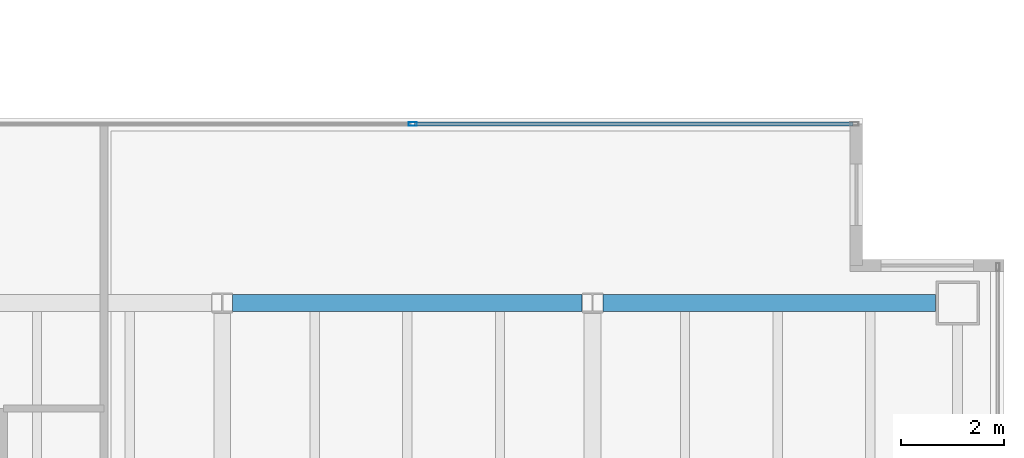
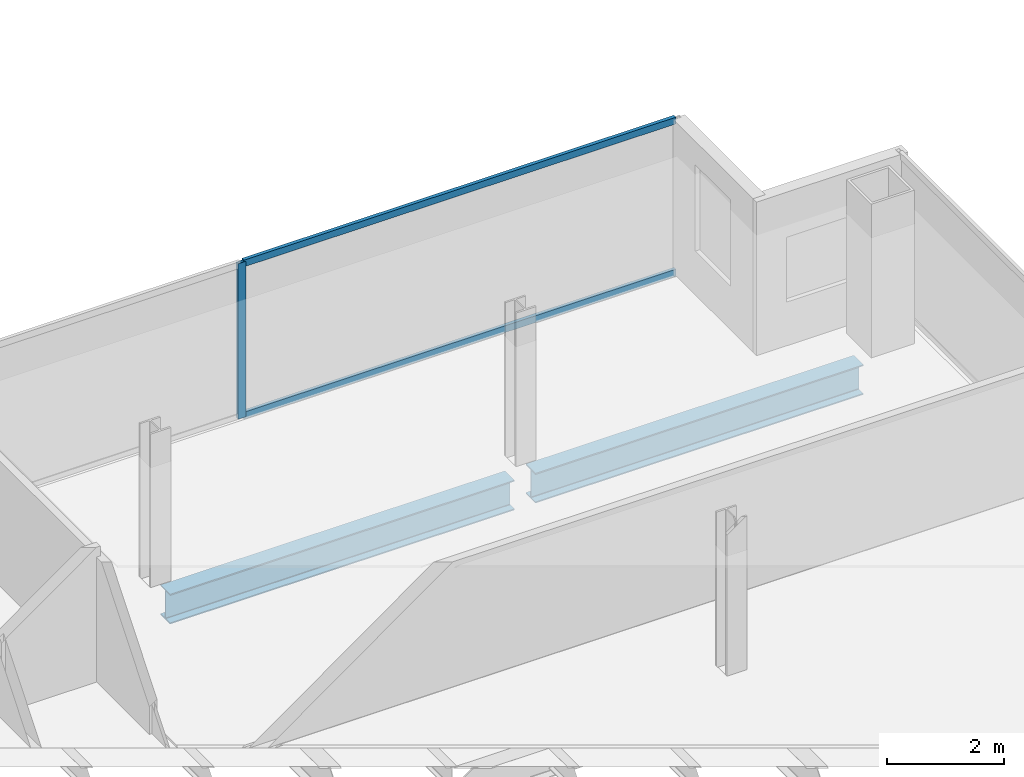
# One storey, part 15 of 23: 3 members, 2 beams, 1 element without a shape of its own.
"""IFC4 building model written with IfcOpenShell, lengths in metres."""

from ifc_helpers import new_model, si_unit, direction, frame, origin, origin_2d, place, context, subcontext, project, spatial, hollow_rectangle, i_section, extrude, material, material_profile, profile_set, type_object, element, aggregate, save


model = new_model("IFC4")

# Units and contexts
model_context = context("Model", 3, precision=1e-05, world=origin(), true_north=direction((0.0, 1.0)))
body_context = subcontext(model_context, "Body", "Model", "MODEL_VIEW")
ifc_project = project(units=[si_unit("LENGTHUNIT", "METRE"), si_unit("AREAUNIT", "SQUARE_METRE"), si_unit("VOLUMEUNIT", "CUBIC_METRE"), si_unit("PLANEANGLEUNIT", "RADIAN"), si_unit("MASSUNIT", "GRAM", prefix="KILO")], contexts=[model_context])

# Site, building, storey
site_placement = place(None, origin())
site = spatial("IfcSite", under=ifc_project, at=site_placement, CompositionType="ELEMENT")
building_placement = place(site_placement, origin())
building = spatial("IfcBuilding", under=site, at=building_placement, Name="Cobrela Telecom Tower", CompositionType="ELEMENT")
storey_placement = place(building_placement, frame((0.0, 0.0, 176.75)))
storey = spatial("IfcBuildingStorey", under=building, at=storey_placement, Name="L44", CompositionType="ELEMENT", Elevation=176.75)

# Beams
ifc_material_1 = material(Name="Steel ASTM A992 Grade 50", Category="steel")
ifc_material_profile_1 = material_profile(ifc_material_1, i_section(OverallWidth=0.327880859375, OverallDepth=0.6220703125, WebThickness=0.015380859375, FlangeThickness=0.0244140625, FilletRadius=0.014892578125, at=origin_2d()), Name="W24X131")
ifc_profile_set_1 = profile_set([ifc_material_profile_1], Name="Steel ASTM A992 Grade 50")
beam_type = type_object("IfcBeamType", Name="BM-GIRD-06", PredefinedType="USERDEFINED", material=ifc_profile_set_1)
beam_1_placement = place(storey_placement, frame((29.00439453125, 21.60009765625, -0.571044921875), z_axis=(1.0, 0.0, 0.0), x_axis=(0.0, 1.0, 0.0)))
element("IfcBeam", 1, at=beam_1_placement, inside=storey, type_object=beam_type, Name="L44 Primary Girder X17", ObjectType="GIRDER", PredefinedType="USERDEFINED", context=body_context, shape_type="SweptSolid", body=[
    extrude(i_section(OverallWidth=0.327880859375, OverallDepth=0.6220703125, WebThickness=0.015380859375, FlangeThickness=0.0244140625, FilletRadius=0.014892578125, at=origin_2d()), origin(), (0.0, 0.0, 1.0), 6.791015625),
])
beam_2_placement = place(storey_placement, frame((36.20458984375, 21.60009765625, -0.571044921875), z_axis=(1.0, 0.0, 0.0), x_axis=(0.0, 1.0, 0.0)))
element("IfcBeam", 2, at=beam_2_placement, inside=storey, type_object=beam_type, Name="L44 Primary Girder X18", ObjectType="GIRDER", PredefinedType="USERDEFINED", context=body_context, shape_type="SweptSolid", body=[
    extrude(i_section(OverallWidth=0.327880859375, OverallDepth=0.6220703125, WebThickness=0.015380859375, FlangeThickness=0.0244140625, FilletRadius=0.014892578125, at=origin_2d()), origin(), (0.0, 0.0, 1.0), 6.46533203125),
])

# Curtain wall, members
ifc_material_2 = material(Name="Anodized Bronze Aluminium 6063-T6", Category="aluminium")
curtain_wall_type = type_object("IfcCurtainWallType", Name="CW-SYS-OFF-LO", PredefinedType="USERDEFINED", material=ifc_material_2)
curtain_wall_placement = place(storey_placement, origin())
curtain_wall = element("IfcCurtainWall", 3, at=curtain_wall_placement, inside=storey, type_object=curtain_wall_type, Name="L44 Unitised Bronze Curtain Wall 11", ObjectType="UNITISED CURTAIN WALL", PredefinedType="USERDEFINED")
ifc_material_profile_2 = material_profile(ifc_material_2, hollow_rectangle(XDim=0.070068359375, YDim=0.159912109375, WallThickness=0.00390625, at=origin_2d()), Name="ALU 70x160x4")
ifc_profile_set_2 = profile_set([ifc_material_profile_2], Name="Anodized Bronze Aluminium 6063-T6")
member_type_1 = type_object("IfcMemberType", Name="CW-SYS-OFF-LO-MUL", PredefinedType="MULLION", material=ifc_profile_set_2)
member_1_placement = place(storey_placement, frame((32.5048828125, 25.080078125, 0.0), z_axis=(0.0, 0.0, 1.0), x_axis=(0.0, 1.0, 0.0)))
member_1 = element("IfcMember", 4, at=member_1_placement, type_object=member_type_1, Name="CW-OFF-LO mullion 2", PredefinedType="MULLION", context=body_context, shape_type="SweptSolid", body=[
    extrude(hollow_rectangle(XDim=0.070068359375, YDim=0.159912109375, WallThickness=0.00390625, at=origin_2d()), origin(), (0.0, 0.0, 1.0), 3.239990234375),
])
ifc_material_profile_3 = material_profile(ifc_material_2, hollow_rectangle(XDim=0.070068359375, YDim=0.139892578125, WallThickness=0.00390625, at=origin_2d()), Name="ALU 70x140x4")
ifc_profile_set_3 = profile_set([ifc_material_profile_3], Name="Anodized Bronze Aluminium 6063-T6")
member_type_2 = type_object("IfcMemberType", Name="CW-SYS-OFF-LO-TRN", PredefinedType="USERDEFINED", material=ifc_profile_set_3)
member_2_placement = place(storey_placement, frame((32.5400390625, 25.080078125, 0.034912109375), z_axis=(1.0, 0.0, 0.0), x_axis=(0.0, 1.0, 0.0)))
member_2 = element("IfcMember", 5, at=member_2_placement, type_object=member_type_2, Name="CW-OFF-LO transom 2.1", ObjectType="TRANSOM", PredefinedType="USERDEFINED", context=body_context, shape_type="SweptSolid", body=[
    extrude(hollow_rectangle(XDim=0.070068359375, YDim=0.139892578125, WallThickness=0.00390625, at=origin_2d()), origin(), (0.0, 0.0, 1.0), 8.52001953125),
])
member_3_placement = place(storey_placement, frame((32.5400390625, 25.080078125, 3.205078125), z_axis=(1.0, 0.0, 0.0), x_axis=(0.0, 1.0, 0.0)))
member_3 = element("IfcMember", 6, at=member_3_placement, type_object=member_type_2, Name="CW-OFF-LO transom 2.2", ObjectType="TRANSOM", PredefinedType="USERDEFINED", context=body_context, shape_type="SweptSolid", body=[
    extrude(hollow_rectangle(XDim=0.070068359375, YDim=0.139892578125, WallThickness=0.00390625, at=origin_2d()), origin(), (0.0, 0.0, 1.0), 8.52001953125),
])
aggregate(curtain_wall, [member_1, member_2, member_3])

save(model, "model.ifc")
